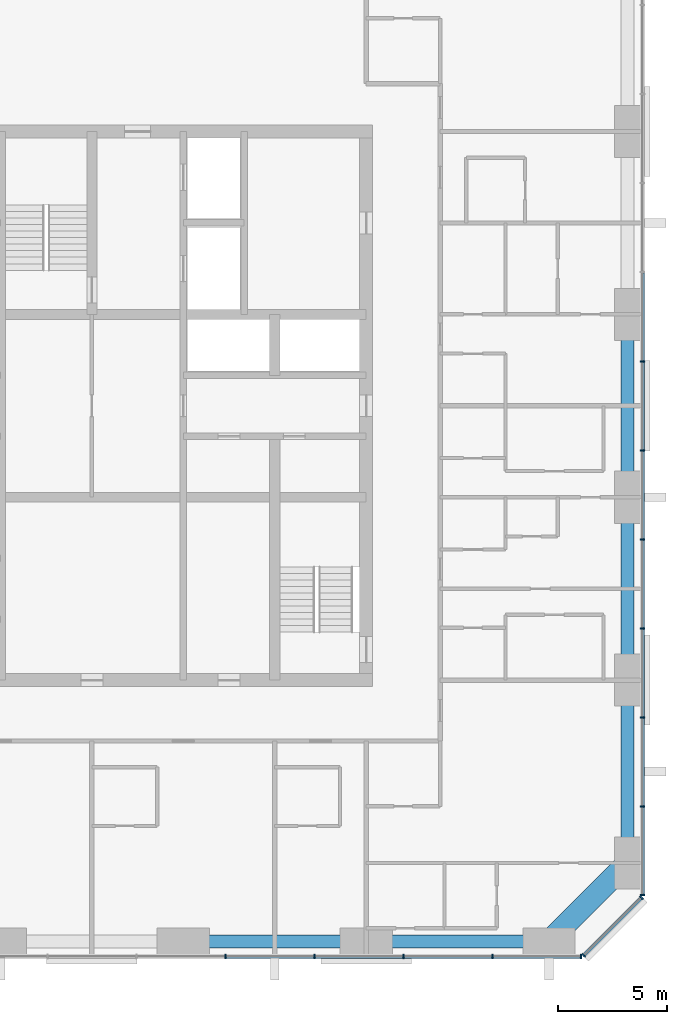
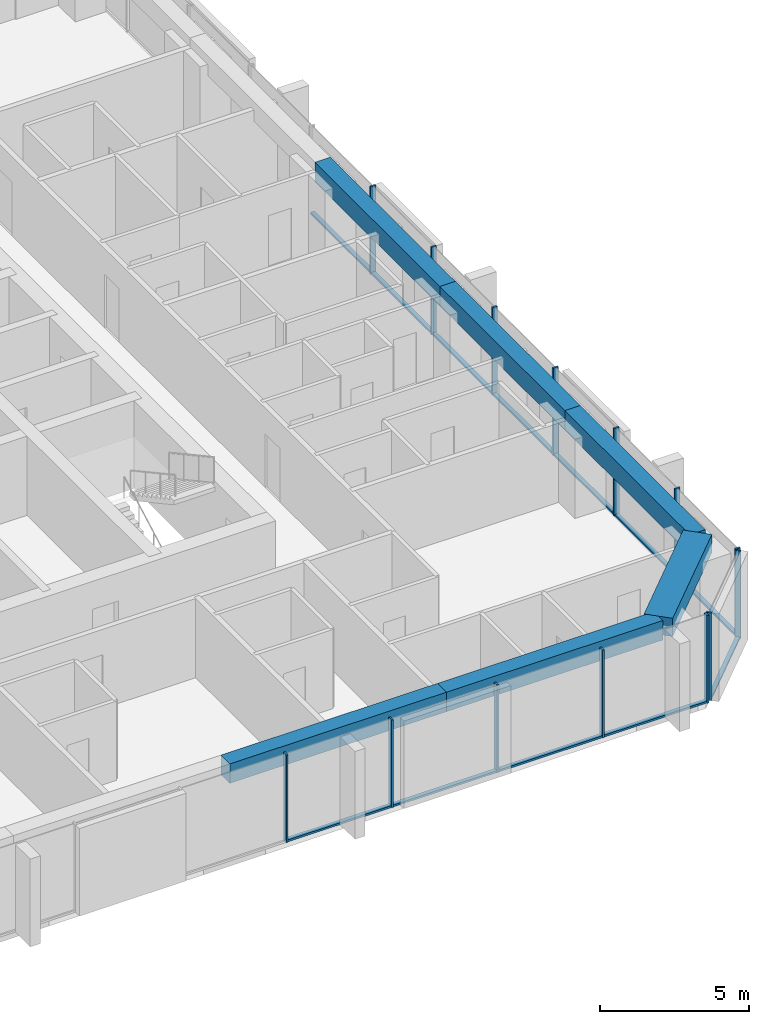
# One storey, part 4 of 13: 26 members, 6 beams, 3 elements without a shape of their own.
"""IFC4 building model written with IfcOpenShell, lengths in metres."""

from ifc_helpers import new_model, si_unit, direction, frame, origin, origin_2d, place, context, subcontext, project, spatial, rectangle, extrude, material, material_profile, profile_set, type_object, element, aggregate, save


model = new_model("IFC4")

# Units and contexts
model_context = context("Model", 3, precision=1e-05, world=origin(), true_north=direction((0.0, 1.0)))
body_context = subcontext(model_context, "Body", "Model", "MODEL_VIEW")
ifc_project = project(units=[si_unit("LENGTHUNIT", "METRE"), si_unit("AREAUNIT", "SQUARE_METRE"), si_unit("VOLUMEUNIT", "CUBIC_METRE"), si_unit("PLANEANGLEUNIT", "RADIAN"), si_unit("MASSUNIT", "GRAM", prefix="KILO")], contexts=[model_context])

# Site, building, storey
site_placement = place(None, origin())
site = spatial("IfcSite", under=ifc_project, at=site_placement, CompositionType="ELEMENT")
building_placement = place(site_placement, origin())
building = spatial("IfcBuilding", under=site, at=building_placement, Name="Dunama Terrace Hotel", CompositionType="ELEMENT")
storey_placement = place(building_placement, frame((0.0, 0.0, 195.0)))
storey = spatial("IfcBuildingStorey", under=building, at=storey_placement, Name="L50", CompositionType="ELEMENT", Elevation=195.0)

# Curtain wall, members
ifc_material_1 = material(Name="Aluminium curtain wall system", Category="aluminium")
curtain_wall_type = type_object("IfcCurtainWallType", Name="Unitised fritted glass wall CW-C", PredefinedType="NOTDEFINED", material=ifc_material_1)
curtain_wall_1_placement = place(storey_placement, origin())
curtain_wall_1 = element("IfcCurtainWall", 1, at=curtain_wall_1_placement, inside=storey, type_object=curtain_wall_type, Name="Unitised fritted glass wall CW-C L50", PredefinedType="NOTDEFINED")
ifc_material_2 = material(Name="Aluminium mullion", Category="aluminium")
ifc_material_profile_1 = material_profile(ifc_material_2, rectangle(XDim=0.070068359375, YDim=0.199951171875, at=origin_2d()), Name="CWC MULLION 70X200")
ifc_profile_set_1 = profile_set([ifc_material_profile_1], Name="Aluminium mullion")
member_type_1 = type_object("IfcMemberType", Name="CWC mullion 70x200", PredefinedType="MULLION", material=ifc_profile_set_1)
member_1_placement = place(storey_placement, frame((35.535888671875, 4.10009765625, 0.0), z_axis=(0.0, 0.0, 1.0), x_axis=(1.0, 0.0, 0.0)))
member_1 = element("IfcMember", 2, at=member_1_placement, type_object=member_type_1, Name="CWC mullion", PredefinedType="MULLION", context=body_context, shape_type="SweptSolid", body=[
    extrude(rectangle(XDim=0.070068359375, YDim=0.199951171875, at=origin_2d()), origin(), (0.0, 0.0, 1.0), 3.60009765625),
])
member_2_placement = place(storey_placement, frame((39.626953125, 4.10009765625, 0.0), z_axis=(0.0, 0.0, 1.0), x_axis=(1.0, 0.0, 0.0)))
member_2 = element("IfcMember", 3, at=member_2_placement, type_object=member_type_1, Name="CWC mullion", PredefinedType="MULLION", context=body_context, shape_type="SweptSolid", body=[
    extrude(rectangle(XDim=0.070068359375, YDim=0.199951171875, at=origin_2d()), origin(), (0.0, 0.0, 1.0), 3.60009765625),
])
member_3_placement = place(storey_placement, frame((43.718017578125, 4.10009765625, 0.0), z_axis=(0.0, 0.0, 1.0), x_axis=(1.0, 0.0, 0.0)))
member_3 = element("IfcMember", 4, at=member_3_placement, type_object=member_type_1, Name="CWC mullion", PredefinedType="MULLION", context=body_context, shape_type="SweptSolid", body=[
    extrude(rectangle(XDim=0.070068359375, YDim=0.199951171875, at=origin_2d()), origin(), (0.0, 0.0, 1.0), 3.60009765625),
])
member_4_placement = place(storey_placement, frame((47.80908203125, 4.10009765625, 0.0), z_axis=(0.0, 0.0, 1.0), x_axis=(1.0, 0.0, 0.0)))
member_4 = element("IfcMember", 5, at=member_4_placement, type_object=member_type_1, Name="CWC mullion", PredefinedType="MULLION", context=body_context, shape_type="SweptSolid", body=[
    extrude(rectangle(XDim=0.070068359375, YDim=0.199951171875, at=origin_2d()), origin(), (0.0, 0.0, 1.0), 3.60009765625),
])
member_5_placement = place(storey_placement, frame((51.864990234375, 4.10009765625, 0.0), z_axis=(0.0, 0.0, 1.0), x_axis=(1.0, 0.0, 0.0)))
member_5 = element("IfcMember", 6, at=member_5_placement, type_object=member_type_1, Name="CWC mullion", PredefinedType="MULLION", context=body_context, shape_type="SweptSolid", body=[
    extrude(rectangle(XDim=0.070068359375, YDim=0.199951171875, at=origin_2d()), origin(), (0.0, 0.0, 1.0), 3.60009765625),
])

curtain_wall_2_placement = place(storey_placement, origin())
curtain_wall_2 = element("IfcCurtainWall", 7, at=curtain_wall_2_placement, inside=storey, type_object=curtain_wall_type, Name="Unitised fritted glass wall CW-C L50", PredefinedType="NOTDEFINED")
member_6_placement = place(storey_placement, frame((51.9951171875, 4.154052734375, 0.0), z_axis=(0.0, 0.0, 1.0), x_axis=(0.707106781187, 0.707106781187, 0.0)))
member_6 = element("IfcMember", 8, at=member_6_placement, type_object=member_type_1, Name="CWC mullion", PredefinedType="MULLION", context=body_context, shape_type="SweptSolid", body=[
    extrude(rectangle(XDim=0.070068359375, YDim=0.199951171875, at=origin_2d()), origin(), (0.0, 0.0, 1.0), 3.60009765625),
])
member_7_placement = place(storey_placement, frame((54.64599609375, 6.804931640625, 0.0), z_axis=(0.0, 0.0, 1.0), x_axis=(0.707106781187, 0.707106781187, 0.0)))
member_7 = element("IfcMember", 9, at=member_7_placement, type_object=member_type_1, Name="CWC mullion", PredefinedType="MULLION", context=body_context, shape_type="SweptSolid", body=[
    extrude(rectangle(XDim=0.070068359375, YDim=0.199951171875, at=origin_2d()), origin(), (0.0, 0.0, 1.0), 3.60009765625),
])

curtain_wall_3_placement = place(storey_placement, origin())
curtain_wall_3 = element("IfcCurtainWall", 10, at=curtain_wall_3_placement, inside=storey, type_object=curtain_wall_type, Name="Unitised fritted glass wall CW-C L50", PredefinedType="NOTDEFINED")
member_8_placement = place(storey_placement, frame((54.699951171875, 6.93505859375, 0.0), z_axis=(0.0, 0.0, 1.0), x_axis=(0.0, 1.0, 0.0)))
member_8 = element("IfcMember", 11, at=member_8_placement, type_object=member_type_1, Name="CWC mullion", PredefinedType="MULLION", context=body_context, shape_type="SweptSolid", body=[
    extrude(rectangle(XDim=0.070068359375, YDim=0.199951171875, at=origin_2d()), origin(), (0.0, 0.0, 1.0), 3.60009765625),
])
member_9_placement = place(storey_placement, frame((54.699951171875, 10.990966796875, 0.0), z_axis=(0.0, 0.0, 1.0), x_axis=(0.0, 1.0, 0.0)))
member_9 = element("IfcMember", 12, at=member_9_placement, type_object=member_type_1, Name="CWC mullion", PredefinedType="MULLION", context=body_context, shape_type="SweptSolid", body=[
    extrude(rectangle(XDim=0.070068359375, YDim=0.199951171875, at=origin_2d()), origin(), (0.0, 0.0, 1.0), 3.60009765625),
])
member_10_placement = place(storey_placement, frame((54.699951171875, 15.08203125, 0.0), z_axis=(0.0, 0.0, 1.0), x_axis=(0.0, 1.0, 0.0)))
member_10 = element("IfcMember", 13, at=member_10_placement, type_object=member_type_1, Name="CWC mullion", PredefinedType="MULLION", context=body_context, shape_type="SweptSolid", body=[
    extrude(rectangle(XDim=0.070068359375, YDim=0.199951171875, at=origin_2d()), origin(), (0.0, 0.0, 1.0), 3.60009765625),
])
member_11_placement = place(storey_placement, frame((54.699951171875, 19.173095703125, 0.0), z_axis=(0.0, 0.0, 1.0), x_axis=(0.0, 1.0, 0.0)))
member_11 = element("IfcMember", 14, at=member_11_placement, type_object=member_type_1, Name="CWC mullion", PredefinedType="MULLION", context=body_context, shape_type="SweptSolid", body=[
    extrude(rectangle(XDim=0.070068359375, YDim=0.199951171875, at=origin_2d()), origin(), (0.0, 0.0, 1.0), 3.60009765625),
])
member_12_placement = place(storey_placement, frame((54.699951171875, 23.263916015625, 0.0), z_axis=(0.0, 0.0, 1.0), x_axis=(0.0, 1.0, 0.0)))
member_12 = element("IfcMember", 15, at=member_12_placement, type_object=member_type_1, Name="CWC mullion", PredefinedType="MULLION", context=body_context, shape_type="SweptSolid", body=[
    extrude(rectangle(XDim=0.070068359375, YDim=0.199951171875, at=origin_2d()), origin(), (0.0, 0.0, 1.0), 3.60009765625),
])
member_13_placement = place(storey_placement, frame((54.699951171875, 27.35498046875, 0.0), z_axis=(0.0, 0.0, 1.0), x_axis=(0.0, 1.0, 0.0)))
member_13 = element("IfcMember", 16, at=member_13_placement, type_object=member_type_1, Name="CWC mullion", PredefinedType="MULLION", context=body_context, shape_type="SweptSolid", body=[
    extrude(rectangle(XDim=0.070068359375, YDim=0.199951171875, at=origin_2d()), origin(), (0.0, 0.0, 1.0), 3.60009765625),
])
member_14_placement = place(storey_placement, frame((54.699951171875, 31.445068359375, 0.0), z_axis=(0.0, 0.0, 1.0), x_axis=(0.0, 1.0, 0.0)))
member_14 = element("IfcMember", 17, at=member_14_placement, type_object=member_type_1, Name="CWC mullion", PredefinedType="MULLION", context=body_context, shape_type="SweptSolid", body=[
    extrude(rectangle(XDim=0.070068359375, YDim=0.199951171875, at=origin_2d()), origin(), (0.0, 0.0, 1.0), 3.60009765625),
])

# Member
ifc_material_3 = material(Name="Aluminium transom", Category="aluminium")
ifc_material_profile_2 = material_profile(ifc_material_3, rectangle(XDim=0.159912109375, YDim=0.080078125, at=origin_2d()), Name="CWC TRANSOM 160X80")
ifc_profile_set_2 = profile_set([ifc_material_profile_2], Name="Aluminium transom")
member_type_2 = type_object("IfcMemberType", Name="CWC transom 160x80", PredefinedType="USERDEFINED", material=ifc_profile_set_2)
member_15_placement = place(storey_placement, frame((35.571044921875, 4.10009765625, 0.0400390625), z_axis=(1.0, 0.0, 0.0), x_axis=(0.0, 1.0, 0.0)))
member_15 = element("IfcMember", 18, at=member_15_placement, type_object=member_type_2, Name="CWC transom", ObjectType="TRANSOM", PredefinedType="USERDEFINED", context=body_context, shape_type="SweptSolid", body=[
    extrude(rectangle(XDim=0.159912109375, YDim=0.080078125, at=origin_2d()), origin(), (0.0, 0.0, 1.0), 4.02099609375),
])

member_16_placement = place(storey_placement, frame((39.662109375, 4.10009765625, 0.0400390625), z_axis=(1.0, 0.0, 0.0), x_axis=(0.0, 1.0, 0.0)))
member_16 = element("IfcMember", 19, at=member_16_placement, type_object=member_type_2, Name="CWC transom", ObjectType="TRANSOM", PredefinedType="USERDEFINED", context=body_context, shape_type="SweptSolid", body=[
    extrude(rectangle(XDim=0.159912109375, YDim=0.080078125, at=origin_2d()), origin(), (0.0, 0.0, 1.0), 4.02099609375),
])

member_17_placement = place(storey_placement, frame((43.7529296875, 4.10009765625, 0.0400390625), z_axis=(1.0, 0.0, 0.0), x_axis=(0.0, 1.0, 0.0)))
member_17 = element("IfcMember", 20, at=member_17_placement, type_object=member_type_2, Name="CWC transom", ObjectType="TRANSOM", PredefinedType="USERDEFINED", context=body_context, shape_type="SweptSolid", body=[
    extrude(rectangle(XDim=0.159912109375, YDim=0.080078125, at=origin_2d()), origin(), (0.0, 0.0, 1.0), 4.02099609375),
])

member_18_placement = place(storey_placement, frame((47.843994140625, 4.10009765625, 0.0400390625), z_axis=(1.0, 0.0, 0.0), x_axis=(0.0, 1.0, 0.0)))
member_18 = element("IfcMember", 21, at=member_18_placement, type_object=member_type_2, Name="CWC transom", ObjectType="TRANSOM", PredefinedType="USERDEFINED", context=body_context, shape_type="SweptSolid", body=[
    extrude(rectangle(XDim=0.159912109375, YDim=0.080078125, at=origin_2d()), origin(), (0.0, 0.0, 1.0), 3.986083984375),
])

aggregate(curtain_wall_1, [member_1, member_2, member_3, member_4, member_5, member_15, member_16, member_17, member_18])

member_19_placement = place(storey_placement, frame((52.02001953125, 4.178955078125, 0.0400390625), z_axis=(0.707106781187, 0.707106781187, 0.0), x_axis=(-0.707106781187, 0.707106781187, 0.0)))
member_19 = element("IfcMember", 22, at=member_19_placement, type_object=member_type_2, Name="CWC transom", ObjectType="TRANSOM", PredefinedType="USERDEFINED", context=body_context, shape_type="SweptSolid", body=[
    extrude(rectangle(XDim=0.159912109375, YDim=0.080078125, at=origin_2d()), origin(), (0.0, 0.0, 1.0), 3.678466796875),
])

aggregate(curtain_wall_2, [member_6, member_7, member_19])

member_20_placement = place(storey_placement, frame((54.699951171875, 6.969970703125, 0.0400390625), z_axis=(0.0, 1.0, 0.0), x_axis=(-1.0, 0.0, 0.0)))
member_20 = element("IfcMember", 23, at=member_20_placement, type_object=member_type_2, Name="CWC transom", ObjectType="TRANSOM", PredefinedType="USERDEFINED", context=body_context, shape_type="SweptSolid", body=[
    extrude(rectangle(XDim=0.159912109375, YDim=0.080078125, at=origin_2d()), origin(), (0.0, 0.0, 1.0), 3.986083984375),
])

member_21_placement = place(storey_placement, frame((54.699951171875, 11.02587890625, 0.0400390625), z_axis=(0.0, 1.0, 0.0), x_axis=(-1.0, 0.0, 0.0)))
member_21 = element("IfcMember", 24, at=member_21_placement, type_object=member_type_2, Name="CWC transom", ObjectType="TRANSOM", PredefinedType="USERDEFINED", context=body_context, shape_type="SweptSolid", body=[
    extrude(rectangle(XDim=0.159912109375, YDim=0.080078125, at=origin_2d()), origin(), (0.0, 0.0, 1.0), 4.021240234375),
])

member_22_placement = place(storey_placement, frame((54.699951171875, 15.116943359375, 0.0400390625), z_axis=(0.0, 1.0, 0.0), x_axis=(-1.0, 0.0, 0.0)))
member_22 = element("IfcMember", 25, at=member_22_placement, type_object=member_type_2, Name="CWC transom", ObjectType="TRANSOM", PredefinedType="USERDEFINED", context=body_context, shape_type="SweptSolid", body=[
    extrude(rectangle(XDim=0.159912109375, YDim=0.080078125, at=origin_2d()), origin(), (0.0, 0.0, 1.0), 4.02099609375),
])

member_23_placement = place(storey_placement, frame((54.699951171875, 19.2080078125, 0.0400390625), z_axis=(0.0, 1.0, 0.0), x_axis=(-1.0, 0.0, 0.0)))
member_23 = element("IfcMember", 26, at=member_23_placement, type_object=member_type_2, Name="CWC transom", ObjectType="TRANSOM", PredefinedType="USERDEFINED", context=body_context, shape_type="SweptSolid", body=[
    extrude(rectangle(XDim=0.159912109375, YDim=0.080078125, at=origin_2d()), origin(), (0.0, 0.0, 1.0), 4.02099609375),
])

member_24_placement = place(storey_placement, frame((54.699951171875, 23.299072265625, 0.0400390625), z_axis=(0.0, 1.0, 0.0), x_axis=(-1.0, 0.0, 0.0)))
member_24 = element("IfcMember", 27, at=member_24_placement, type_object=member_type_2, Name="CWC transom", ObjectType="TRANSOM", PredefinedType="USERDEFINED", context=body_context, shape_type="SweptSolid", body=[
    extrude(rectangle(XDim=0.159912109375, YDim=0.080078125, at=origin_2d()), origin(), (0.0, 0.0, 1.0), 4.02099609375),
])

member_25_placement = place(storey_placement, frame((54.699951171875, 27.389892578125, 0.0400390625), z_axis=(0.0, 1.0, 0.0), x_axis=(-1.0, 0.0, 0.0)))
member_25 = element("IfcMember", 28, at=member_25_placement, type_object=member_type_2, Name="CWC transom", ObjectType="TRANSOM", PredefinedType="USERDEFINED", context=body_context, shape_type="SweptSolid", body=[
    extrude(rectangle(XDim=0.159912109375, YDim=0.080078125, at=origin_2d()), origin(), (0.0, 0.0, 1.0), 4.02001953125),
])

member_26_placement = place(storey_placement, frame((54.699951171875, 31.47998046875, 0.0400390625), z_axis=(0.0, 1.0, 0.0), x_axis=(-1.0, 0.0, 0.0)))
member_26 = element("IfcMember", 29, at=member_26_placement, type_object=member_type_2, Name="CWC transom", ObjectType="TRANSOM", PredefinedType="USERDEFINED", context=body_context, shape_type="SweptSolid", body=[
    extrude(rectangle(XDim=0.159912109375, YDim=0.080078125, at=origin_2d()), origin(), (0.0, 0.0, 1.0), 4.02099609375),
])

aggregate(curtain_wall_3, [member_8, member_9, member_10, member_11, member_12, member_13, member_14, member_20, member_21, member_22, member_23, member_24, member_25, member_26])

# Beams
ifc_material_4 = material(Name="Concrete C50/60", Category="concrete")
ifc_material_profile_3 = material_profile(ifc_material_4, rectangle(XDim=1.0, YDim=0.75, at=origin_2d()), Name="RC 1000x750")
ifc_profile_set_3 = profile_set([ifc_material_profile_3], Name="Concrete C50/60")
beam_type_1 = type_object("IfcBeamType", Name="Edge beam RC 1000x750", PredefinedType="SPANDREL", material=ifc_profile_set_3)
beam_1_placement = place(storey_placement, frame((50.39990234375, 4.800048828125, 3.22509765625), z_axis=(0.707130757816, 0.707082803744, 0.0), x_axis=(-0.707082803744, 0.707130757816, 0.0)))
element("IfcBeam", 30, at=beam_1_placement, inside=storey, type_object=beam_type_1, Name="Corner edge beam under L51", PredefinedType="SPANDREL", context=body_context, shape_type="SweptSolid", body=[
    extrude(rectangle(XDim=1.0, YDim=0.75, at=origin_2d()), origin(), (0.0, 0.0, 1.0), 5.091064453125),
])
ifc_material_5 = material(Name="Concrete C40/50", Category="concrete")
ifc_material_profile_4 = material_profile(ifc_material_5, rectangle(XDim=0.60009765625, YDim=0.800048828125, at=origin_2d()), Name="RC 600x800")
ifc_profile_set_4 = profile_set([ifc_material_profile_4], Name="Concrete C40/50")
beam_type_2 = type_object("IfcBeamType", Name="Edge beam RC 600x800", PredefinedType="SPANDREL", material=ifc_profile_set_4)
beam_2_placement = place(storey_placement, frame((54.0, 8.39990234375, 3.199951171875), z_axis=(0.0, 1.0, 0.0), x_axis=(-1.0, 0.0, 0.0)))
element("IfcBeam", 31, at=beam_2_placement, inside=storey, type_object=beam_type_2, Name="Edge beam under L51", PredefinedType="SPANDREL", context=body_context, shape_type="SweptSolid", body=[
    extrude(rectangle(XDim=0.60009765625, YDim=0.800048828125, at=origin_2d()), origin(), (0.0, 0.0, 1.0), 8.400146484375),
])
beam_3_placement = place(storey_placement, frame((54.0, 16.800048828125, 3.199951171875), z_axis=(0.0, 1.0, 0.0), x_axis=(-1.0, 0.0, 0.0)))
element("IfcBeam", 32, at=beam_3_placement, inside=storey, type_object=beam_type_2, Name="Edge beam under L51", PredefinedType="SPANDREL", context=body_context, shape_type="SweptSolid", body=[
    extrude(rectangle(XDim=0.60009765625, YDim=0.800048828125, at=origin_2d()), origin(), (0.0, 0.0, 1.0), 8.39990234375),
])
beam_4_placement = place(storey_placement, frame((54.0, 25.199951171875, 3.199951171875), z_axis=(0.0, 1.0, 0.0), x_axis=(-1.0, 0.0, 0.0)))
element("IfcBeam", 33, at=beam_4_placement, inside=storey, type_object=beam_type_2, Name="Edge beam under L51", PredefinedType="SPANDREL", context=body_context, shape_type="SweptSolid", body=[
    extrude(rectangle(XDim=0.60009765625, YDim=0.800048828125, at=origin_2d()), origin(), (0.0, 0.0, 1.0), 8.400146484375),
])
for number, where, z_axis, x_axis, name in (
    (34, (33.60009765625, 4.800048828125, 3.199951171875), (1.0, 0.0, 0.0), (0.0, 1.0, 0.0), "Edge beam under L51"),
    (35, (42.0, 4.800048828125, 3.199951171875), (1.0, 0.0, 0.0), (0.0, 1.0, 0.0), "Edge beam under L51"),
):
    element("IfcBeam", number, at=place(storey_placement, frame(where, z_axis=z_axis, x_axis=x_axis)), inside=storey, type_object=beam_type_2, Name=name, PredefinedType="SPANDREL", context=body_context, shape_type="SweptSolid", body=[
        extrude(rectangle(XDim=0.60009765625, YDim=0.800048828125, at=origin_2d()), origin(), (0.0, 0.0, 1.0), 8.39990234375),
    ])

save(model, "model.ifc")
